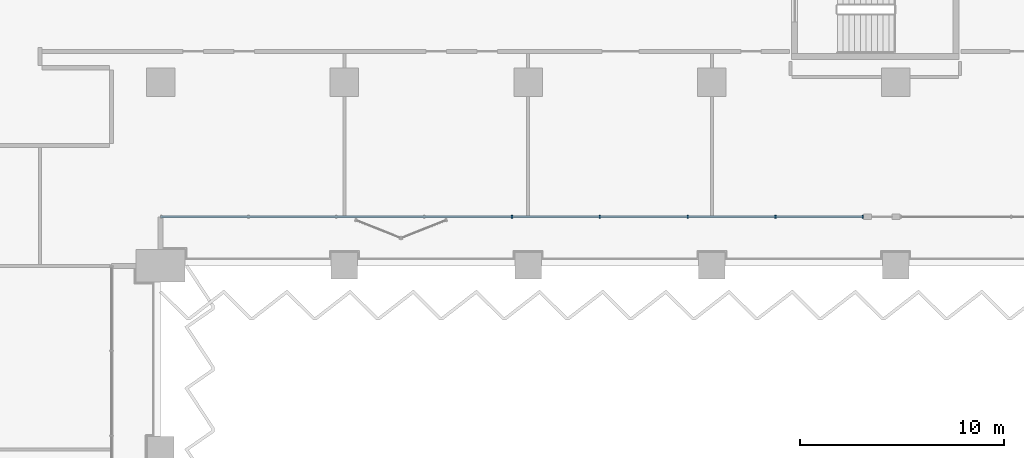
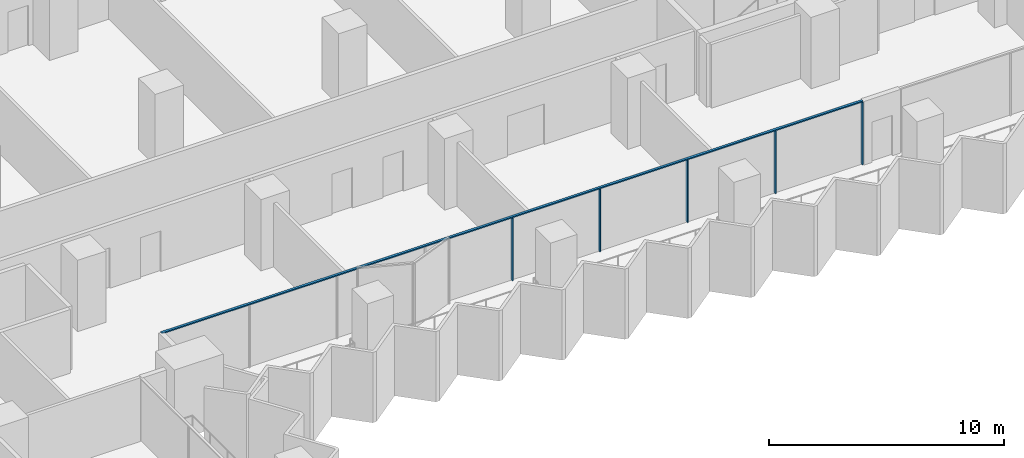
# One storey, part 5 of 28: 6 members, 1 element without a shape of its own.
"""IFC4 building model written with IfcOpenShell, lengths in metres."""

from ifc_helpers import new_model, si_unit, direction, frame, origin, origin_2d, place, context, subcontext, project, spatial, rectangle, extrude, material, material_profile, profile_set, type_object, element, aggregate, save


model = new_model("IFC4")

# Units and contexts
model_context = context("Model", 3, precision=1e-05, world=origin(), true_north=direction((0.0, 1.0)))
body_context = subcontext(model_context, "Body", "Model", "MODEL_VIEW")
ifc_project = project(units=[si_unit("LENGTHUNIT", "METRE"), si_unit("AREAUNIT", "SQUARE_METRE"), si_unit("VOLUMEUNIT", "CUBIC_METRE"), si_unit("PLANEANGLEUNIT", "RADIAN"), si_unit("MASSUNIT", "GRAM", prefix="KILO")], contexts=[model_context])

# Site, building, storey
site_placement = place(None, origin())
site = spatial("IfcSite", under=ifc_project, at=site_placement, CompositionType="ELEMENT")
building_placement = place(site_placement, origin())
building = spatial("IfcBuilding", under=site, at=building_placement, Name="Hunhe Ridgeline Campus", CompositionType="ELEMENT")
storey_placement = place(building_placement, frame((0.0, 0.0, 35.800048828125)))
storey = spatial("IfcBuildingStorey", under=building, at=storey_placement, Name="L07", CompositionType="ELEMENT", Elevation=35.800048828125)

# Curtain wall, members
ifc_material = material(Name="Aluminium 6063", Category="aluminium")
curtain_wall_type = type_object("IfcCurtainWallType", Name="Curtain wall CW-1", PredefinedType="NOTDEFINED", material=ifc_material)
curtain_wall_placement = place(storey_placement, origin())
curtain_wall = element("IfcCurtainWall", 1, at=curtain_wall_placement, inside=storey, type_object=curtain_wall_type, Name="Curtain wall 13", PredefinedType="NOTDEFINED")
ifc_material_profile_1 = material_profile(ifc_material, rectangle(XDim=0.159912109375, YDim=0.06005859375, at=origin_2d()))
ifc_profile_set_1 = profile_set([ifc_material_profile_1], Name="Aluminium 6063")
member_type_1 = type_object("IfcMemberType", Name="CW-1 aluminium mullion", PredefinedType="MULLION", material=ifc_profile_set_1)
member_1_placement = place(storey_placement, frame((62.211669921875, 56.40087890625, 0.0), z_axis=(0.0, 0.0, 1.0), x_axis=(-3.602063e-06, 0.999999999994, 0.0)))
member_1 = element("IfcMember", 2, at=member_1_placement, type_object=member_type_1, Name="CW-1 mullion 5", PredefinedType="MULLION", context=body_context, shape_type="SweptSolid", body=[
    extrude(rectangle(XDim=0.159912109375, YDim=0.06005859375, at=origin_2d()), origin(), (0.0, 0.0, 1.0), 3.239990234375),
])
member_2_placement = place(storey_placement, frame((66.514892578125, 56.40087890625, 0.0), z_axis=(0.0, 0.0, 1.0), x_axis=(-3.602063e-06, 0.999999999994, 0.0)))
member_2 = element("IfcMember", 3, at=member_2_placement, type_object=member_type_1, Name="CW-1 mullion 6", PredefinedType="MULLION", context=body_context, shape_type="SweptSolid", body=[
    extrude(rectangle(XDim=0.159912109375, YDim=0.06005859375, at=origin_2d()), origin(), (0.0, 0.0, 1.0), 3.239990234375),
])
member_3_placement = place(storey_placement, frame((70.81787109375, 56.40087890625, 0.0), z_axis=(0.0, 0.0, 1.0), x_axis=(-3.602063e-06, 0.999999999994, 0.0)))
member_3 = element("IfcMember", 4, at=member_3_placement, type_object=member_type_1, Name="CW-1 mullion 7", PredefinedType="MULLION", context=body_context, shape_type="SweptSolid", body=[
    extrude(rectangle(XDim=0.159912109375, YDim=0.06005859375, at=origin_2d()), origin(), (0.0, 0.0, 1.0), 3.239990234375),
])
member_4_placement = place(storey_placement, frame((75.12109375, 56.40087890625, 0.0), z_axis=(0.0, 0.0, 1.0), x_axis=(-3.602063e-06, 0.999999999994, 0.0)))
member_4 = element("IfcMember", 5, at=member_4_placement, type_object=member_type_1, Name="CW-1 mullion 8", PredefinedType="MULLION", context=body_context, shape_type="SweptSolid", body=[
    extrude(rectangle(XDim=0.159912109375, YDim=0.06005859375, at=origin_2d()), origin(), (0.0, 0.0, 1.0), 3.239990234375),
])
member_5_placement = place(storey_placement, frame((79.39404296875, 56.40087890625, 0.0), z_axis=(0.0, 0.0, 1.0), x_axis=(-3.602063e-06, 0.999999999994, 0.0)))
member_5 = element("IfcMember", 6, at=member_5_placement, type_object=member_type_1, Name="CW-1 mullion 9", PredefinedType="MULLION", context=body_context, shape_type="SweptSolid", body=[
    extrude(rectangle(XDim=0.159912109375, YDim=0.06005859375, at=origin_2d()), origin(), (0.0, 0.0, 1.0), 3.239990234375),
])
ifc_material_profile_2 = material_profile(ifc_material, rectangle(XDim=0.1201171875, YDim=0.06005859375, at=origin_2d()))
ifc_profile_set_2 = profile_set([ifc_material_profile_2], Name="Aluminium 6063")
member_type_2 = type_object("IfcMemberType", Name="CW-1 aluminium transom", PredefinedType="USERDEFINED", material=ifc_profile_set_2)
member_6_placement = place(storey_placement, frame((44.99951171875, 56.40087890625, 3.27001953125), z_axis=(1.0, 0.0, 0.0), x_axis=(0.0, 1.0, 0.0)))
member_6 = element("IfcMember", 7, at=member_6_placement, type_object=member_type_2, Name="CW-1 transom 1", ObjectType="TRANSOM", PredefinedType="USERDEFINED", context=body_context, shape_type="SweptSolid", body=[
    extrude(rectangle(XDim=0.1201171875, YDim=0.06005859375, at=origin_2d()), origin(), (0.0, 0.0, 1.0), 34.424560546875),
])
aggregate(curtain_wall, [member_6, member_1, member_2, member_3, member_4, member_5])

save(model, "model.ifc")
